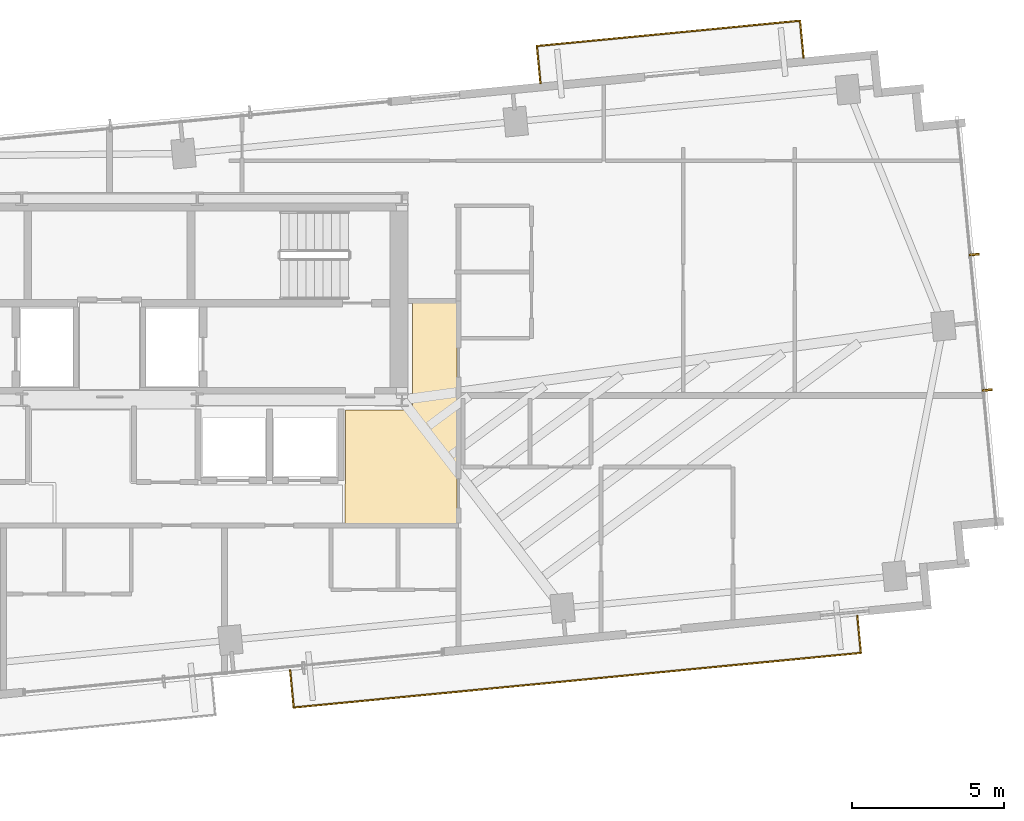
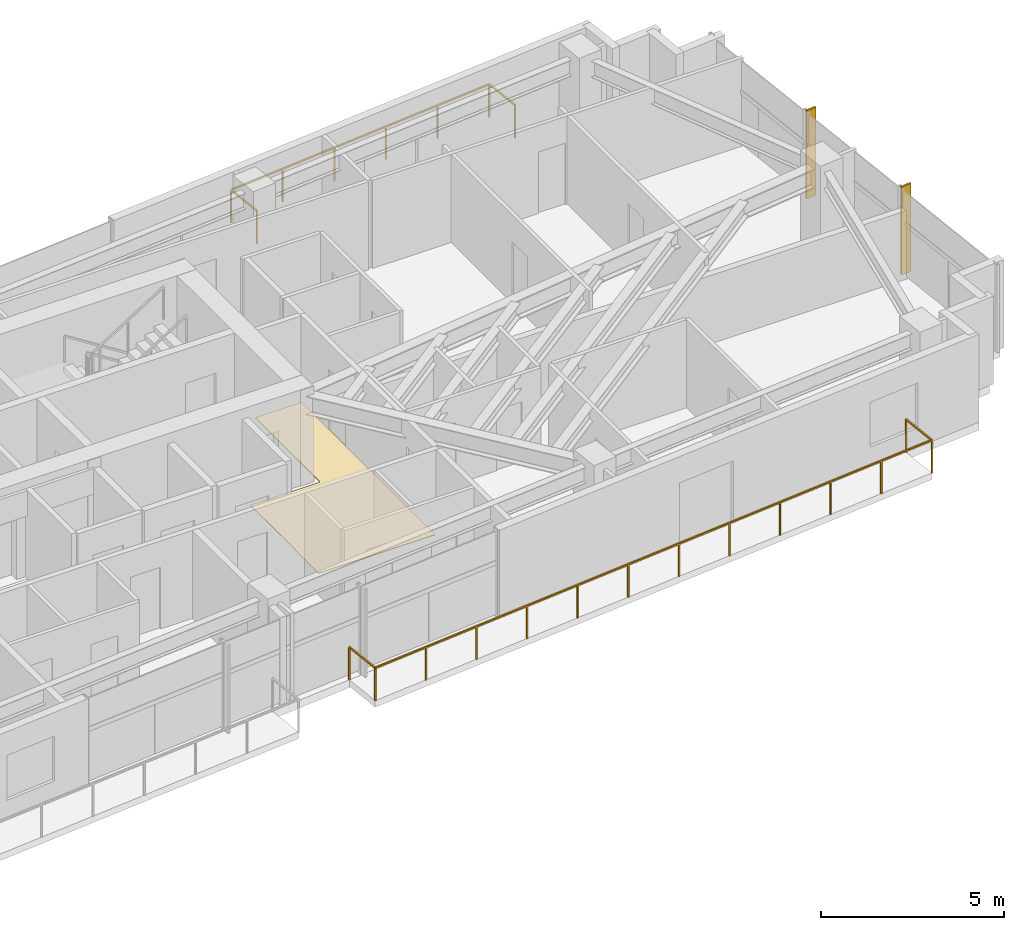
# One storey, part 18 of 18: 2 railings, 2 shading devices, 1 covering.
"""IFC4 building model written with IfcOpenShell, lengths in metres."""

import ifcopenshell
import ifcopenshell.guid

model = None  # the IFC model being written
_history = None  # IfcOwnerHistory: only IFC2X3 demands one
_inside = {}  # id of a spatial element -> (the spatial element, [elements in it])
_under = {}  # id of a project, library or spatial element -> (it, [spatial elements below it])
_declared = {}  # id of a project -> (the project, [libraries it declares])
_typed = {}  # id of a type object -> (the type object, [elements of that type])
_made_of = {}  # id of a material, layer set ... -> (it, [elements and type objects made of it])


def new_model(schema):
    """Start an empty IFC model of exactly this schema.

    Asked for "IFC4X3", IfcOpenShell would pick the latest addendum, in which some entities
    have other attributes; the version numbers below select the first issue.
    IFC2X3 requires an IfcOwnerHistory on every rooted entity: one is made here for all.
    """
    global model, _history
    if schema == "IFC4X3":
        model = ifcopenshell.file(schema_version=(4, 3, 0, 0))
    else:
        model = ifcopenshell.file(schema=schema)
    _inside.clear()
    _under.clear()
    _declared.clear()
    _typed.clear()
    _made_of.clear()
    _history = None
    if model.schema == "IFC2X3":
        org = make("IfcOrganization", Name="unknown")
        user = make(
            "IfcPersonAndOrganization",
            ThePerson=make("IfcPerson", FamilyName="unknown"),
            TheOrganization=org,
        )
        app = make(
            "IfcApplication",
            ApplicationDeveloper=org,
            Version="unknown",
            ApplicationFullName="unknown",
            ApplicationIdentifier="unknown",
        )
        _history = make(
            "IfcOwnerHistory",
            OwningUser=user,
            OwningApplication=app,
            ChangeAction="ADDED",
            CreationDate=0,
        )
    return model


def make(cls, **values):
    """One entity of the class cls with the attributes given. An attribute that is None is left unset."""
    return model.create_entity(
        cls, **{name: value for name, value in values.items() if value is not None}
    )


def rooted(cls, **values):
    """An entity with a GlobalId (a new one), such as an element, a storey or a relation."""
    return make(cls, GlobalId=ifcopenshell.guid.new(), OwnerHistory=_history, **values)


def si_unit(unit_type, name, prefix=None):
    """IfcSIUnit, for example si_unit("LENGTHUNIT", "METRE", prefix="MILLI")."""
    return make("IfcSIUnit", UnitType=unit_type, Prefix=prefix, Name=name)


def assignment(units):
    """IfcUnitAssignment: the units of a project."""
    return None if units is None else make("IfcUnitAssignment", Units=units)


def point(xyz):
    """IfcCartesianPoint."""
    return None if xyz is None else make("IfcCartesianPoint", Coordinates=xyz)


def direction(xyz):
    """IfcDirection."""
    return None if xyz is None else make("IfcDirection", DirectionRatios=xyz)


def frame(location, z_axis=None, x_axis=None):
    """IfcAxis2Placement3D, a coordinate frame: its origin and axes. An axis left out is left unset."""
    return make(
        "IfcAxis2Placement3D",
        Location=point(location),
        Axis=direction(z_axis),
        RefDirection=direction(x_axis),
    )


def frame_2d(location, x_axis=None):
    """IfcAxis2Placement2D, a coordinate frame in the plane: its origin and x axis."""
    return make(
        "IfcAxis2Placement2D", Location=point(location), RefDirection=direction(x_axis)
    )


def origin():
    """The frame at (0, 0, 0) with its axes left unset."""
    return frame((0.0, 0.0, 0.0))


def origin_2d():
    """The frame at (0, 0) in the plane with its x axis left unset."""
    return frame_2d((0.0, 0.0))


def place(relative_to, where):
    """IfcLocalPlacement: puts the frame where relative to a parent placement (None: the world)."""
    return make(
        "IfcLocalPlacement", PlacementRelTo=relative_to, RelativePlacement=where
    )


def context(
    kind, dimensions, precision=None, world=None, true_north=None, identifier=None
):
    """IfcGeometricRepresentationContext, for example the 3D "Model" context."""
    return make(
        "IfcGeometricRepresentationContext",
        ContextIdentifier=identifier,
        ContextType=kind,
        CoordinateSpaceDimension=dimensions,
        Precision=precision,
        WorldCoordinateSystem=world,
        TrueNorth=true_north,
    )


def subcontext(parent, identifier, kind, view, scale=None):
    """IfcGeometricRepresentationSubContext, for example "Body" below "Model"."""
    return make(
        "IfcGeometricRepresentationSubContext",
        ContextIdentifier=identifier,
        ContextType=kind,
        ParentContext=parent,
        TargetScale=scale,
        TargetView=view,
    )


def project(units=None, contexts=None):
    """IfcProject with its units and contexts."""
    return rooted(
        "IfcProject",
        Name="project",
        RepresentationContexts=contexts,
        UnitsInContext=assignment(units),
    )


def spatial(cls, under=None, at=None, **own):
    """A site, building, storey or space (cls), placed at a placement, below another one or the project."""
    s = rooted(cls, ObjectPlacement=at, **own)
    if under is not None:
        _under.setdefault(under.id(), (under, []))[1].append(s)
    return s


def polyline(points):
    """IfcPolyline through the points."""
    return make("IfcPolyline", Points=[point(p) for p in points])


def profile(cls, at=None, kind="AREA", **sizes):
    """A parametric profile (cls). Its sizes go by their IFC names, for example OverallWidth=200.0."""
    return make(cls, ProfileType=kind, Position=at, **sizes)


def rectangle(**sizes):
    """IfcRectangleProfileDef."""
    return profile("IfcRectangleProfileDef", **sizes)


def outline(outer, holes=None, kind="AREA"):
    """IfcArbitraryClosedProfileDef: a profile drawn as a closed curve; with holes, ...WithVoids."""
    if holes is None:
        return make("IfcArbitraryClosedProfileDef", ProfileType=kind, OuterCurve=outer)
    return make(
        "IfcArbitraryProfileDefWithVoids",
        ProfileType=kind,
        OuterCurve=outer,
        InnerCurves=holes,
    )


def extrude(swept, where, along, depth):
    """IfcExtrudedAreaSolid: the profile swept, set in the frame where, extruded along a direction by depth."""
    return make(
        "IfcExtrudedAreaSolid",
        SweptArea=swept,
        Position=where,
        ExtrudedDirection=direction(along),
        Depth=depth,
    )


def shape(context_of_items, identifier, shape_type, items):
    """IfcShapeRepresentation: the items that make up one representation, for example the "Body"."""
    return make(
        "IfcShapeRepresentation",
        ContextOfItems=context_of_items,
        RepresentationIdentifier=identifier,
        RepresentationType=shape_type,
        Items=items,
    )


def source(mapping_origin, context_of_items, identifier, shape_type, items):
    """IfcRepresentationMap: a shape defined once, which mapped items show again and again."""
    return make(
        "IfcRepresentationMap",
        MappingOrigin=mapping_origin,
        MappedRepresentation=shape(context_of_items, identifier, shape_type, items),
    )


def transform(
    local_origin,
    x_axis=None,
    y_axis=None,
    z_axis=None,
    scale=None,
    scale2=None,
    scale3=None,
    uniform=True,
):
    """IfcCartesianTransformationOperator3D, or its non-uniform kind. x_axis, y_axis, z_axis: its Axis1, 2, 3."""
    if uniform:
        return make(
            "IfcCartesianTransformationOperator3D",
            Axis1=direction(x_axis),
            Axis2=direction(y_axis),
            LocalOrigin=point(local_origin),
            Scale=scale,
            Axis3=direction(z_axis),
        )
    return make(
        "IfcCartesianTransformationOperator3DnonUniform",
        Axis1=direction(x_axis),
        Axis2=direction(y_axis),
        LocalOrigin=point(local_origin),
        Scale=scale,
        Axis3=direction(z_axis),
        Scale2=scale2,
        Scale3=scale3,
    )


def mapped(mapping_source, mapping_target):
    """IfcMappedItem: shows the shape of a source again, moved by a transform."""
    return make(
        "IfcMappedItem", MappingSource=mapping_source, MappingTarget=mapping_target
    )


def material(Name=None, Category=None):
    """IfcMaterial."""
    return make("IfcMaterial", Name=Name, Category=Category)


def layer(
    of_material, thickness, ventilated=None, Name=None, Category=None, Priority=None
):
    """IfcMaterialLayer: one layer of a wall or slab, of a material (None: an air gap)."""
    return make(
        "IfcMaterialLayer",
        Material=of_material,
        LayerThickness=thickness,
        IsVentilated=ventilated,
        Name=Name,
        Category=Category,
        Priority=Priority,
    )


def layer_set(layers, Name=None):
    """IfcMaterialLayerSet."""
    return make("IfcMaterialLayerSet", MaterialLayers=layers, LayerSetName=Name)


def made_of(thing, what):
    """Note that an element or type object is made of a material, layer set ...; save() writes the relation."""
    if what is not None:
        _made_of.setdefault(what.id(), (what, []))[1].append(thing)
    return thing


def type_object(cls, material=None, **own):
    """A type object (cls), such as IfcWallType, which elements share."""
    return made_of(rooted(cls, **own), material)


def type_shapes(of_type, sources):
    """Give a type object the sources (RepresentationMaps) that its elements show as mapped items."""
    of_type.RepresentationMaps = sources


def element(
    cls,
    number,
    at=None,
    inside=None,
    cuts=None,
    type_object=None,
    material=None,
    context=None,
    identifier="Body",
    shape_type=None,
    held_by="IfcProductDefinitionShape",
    body=None,
    shapes=None,
    **own,
):
    """One element of the class cls, such as IfcWall. Its Tag is "e" and its number.

    at: its placement. inside: the storey or other place that contains it. cuts: it is an
    opening in that element (IfcRelVoidsElement). A single representation is given by context,
    identifier, shape_type and body (its items); several are given by shapes. held_by: the class
    of the entity that holds the representations. save() writes the other relations.
    """
    e = rooted(cls, Tag="e%d" % number, ObjectPlacement=at, **own)
    if body is not None:
        shapes = [shape(context, identifier, shape_type, body)]
    if shapes is not None:
        e.Representation = make(held_by, Representations=shapes)
    if inside is not None:
        _inside.setdefault(inside.id(), (inside, []))[1].append(e)
    if cuts is not None:
        rooted(
            "IfcRelVoidsElement", RelatingBuildingElement=cuts, RelatedOpeningElement=e
        )
    if type_object is not None:
        _typed.setdefault(type_object.id(), (type_object, []))[1].append(e)
    return made_of(e, material)


def aggregate(whole, parts):
    """IfcRelAggregates: a whole, such as a stair, and the parts it consists of."""
    return rooted("IfcRelAggregates", RelatingObject=whole, RelatedObjects=parts)


def save(model, path):
    """Write the relations noted so far, then the file.

    IfcRelAggregates (storeys below a building ...), IfcRelContainedInSpatialStructure (elements
    in a storey), IfcRelDefinesByType, IfcRelAssociatesMaterial and IfcRelDeclares: one each for
    every whole, place, type object, material and project.
    """
    for whole, parts in _under.values():
        aggregate(whole, parts)
    for where, things in _inside.values():
        rooted(
            "IfcRelContainedInSpatialStructure",
            RelatedElements=things,
            RelatingStructure=where,
        )
    for kind, things in _typed.values():
        rooted("IfcRelDefinesByType", RelatedObjects=things, RelatingType=kind)
    for what, things in _made_of.values():
        rooted("IfcRelAssociatesMaterial", RelatedObjects=things, RelatingMaterial=what)
    for by, libraries in _declared.values():
        rooted("IfcRelDeclares", RelatingContext=by, RelatedDefinitions=libraries)
    model.write(path)


model = new_model("IFC4")

# Units and contexts
model_context = context("Model", 3, precision=1e-05, world=origin(), true_north=direction((0.0, 1.0)))
body_context = subcontext(model_context, "Body", "Model", "MODEL_VIEW")
ifc_project = project(units=[si_unit("LENGTHUNIT", "METRE"), si_unit("AREAUNIT", "SQUARE_METRE"), si_unit("VOLUMEUNIT", "CUBIC_METRE"), si_unit("PLANEANGLEUNIT", "RADIAN"), si_unit("MASSUNIT", "GRAM", prefix="KILO")], contexts=[model_context])

# Site, building, storey
site_placement = place(None, origin())
site = spatial("IfcSite", under=ifc_project, at=site_placement, CompositionType="ELEMENT")
building_placement = place(site_placement, origin())
building = spatial("IfcBuilding", under=site, at=building_placement, Name="Astriad Promenade Condominiums", CompositionType="ELEMENT")
storey_placement = place(building_placement, frame((0.0, 0.0, 189.0)))
storey = spatial("IfcBuildingStorey", under=building, at=storey_placement, Name="L54", CompositionType="ELEMENT", Elevation=189.0)

# Covering
ifc_material_1 = material(Name="Polished Lakefront Terrazzo Flooring")
ifc_layer = layer(ifc_material_1, 0.02001953125)
ifc_layer_set = layer_set([ifc_layer], Name="Polished Lakefront Terrazzo Flooring")
covering_type = type_object("IfcCoveringType", Name="COV-FLOR-TERRAZZO-20", PredefinedType="FLOORING", material=ifc_layer_set)
covering_placement = place(storey_placement, origin())
element("IfcCovering", 1, at=covering_placement, inside=storey, type_object=covering_type, Name="FLR-L54-COR-2", PredefinedType="FLOORING", context=body_context, shape_type="SweptSolid", body=[
    extrude(outline(polyline([(43.72998046875, 14.62353515625), (43.73095703125, 14.62451171875), (43.7333984375, 14.627685546875), (43.7353515625, 14.631103515625), (43.737060546875, 14.634765625), (43.73828125, 14.638427734375), (43.7392578125, 14.64208984375), (43.73974609375, 14.64599609375), (43.739990234375, 14.64990234375), (43.739990234375, 17.06005859375), (45.89990234375, 17.06005859375), (45.90380859375, 17.060302734375), (45.90771484375, 17.060791015625), (45.91162109375, 17.061767578125), (45.915283203125, 17.06298828125), (45.9189453125, 17.064697265625), (45.922119140625, 17.066650390625), (45.92529296875, 17.069091796875), (45.92822265625, 17.07177734375), (45.930908203125, 17.07470703125), (45.933349609375, 17.077880859375), (45.935302734375, 17.0810546875), (45.93701171875, 17.084716796875), (45.938232421875, 17.08837890625), (45.939208984375, 17.09228515625), (45.939697265625, 17.09619140625), (45.93994140625, 17.10009765625), (45.93994140625, 20.610107421875), (47.409912109375, 20.610107421875), (47.409912109375, 13.320068359375), (43.72998046875, 13.320068359375), (43.72998046875, 14.62353515625)])), origin(), (0.0, 0.0, 1.0), 0.02001953125),
])

# Shading devices
ifc_material_2 = material(Name="Anodised aluminium 6063-T6 Black Fin", Category="aluminium")
shading_device_type = type_object("IfcShadingDeviceType", Name="FIN-BLACK-260", PredefinedType="USERDEFINED", material=ifc_material_2)
shared_shape_1 = source(origin(), body_context, "Body", "SweptSolid", [
    extrude(rectangle(XDim=0.06494140625, YDim=0.320068359375, at=origin_2d()), origin(), (0.0, 0.0, 1.0), 2.93994140625),
])
type_shapes(shading_device_type, [shared_shape_1])
for number, where, z_axis, x_axis, name in (
    (2, (64.37841796875, 22.16796875, 0.0), (0.0, 0.0, 1.0), (0.09584575252, -0.995396198367, 0.0), "CW-L54-E-FIN-01"),
    (3, (64.806640625, 17.721923828125, 0.0), (0.0, 0.0, 1.0), (0.09584575252, -0.995396198367, 0.0), "CW-L54-E-FIN-02"),
):
    element("IfcShadingDevice", number, at=place(storey_placement, frame(where, z_axis=z_axis, x_axis=x_axis)), inside=storey, type_object=shading_device_type, Name=name, ObjectType="FIN", PredefinedType="USERDEFINED", context=body_context, shape_type="MappedRepresentation", body=[
        mapped(shared_shape_1, transform((0.0, 0.0, 0.0), scale=1.0)),
    ])

# Railings
ifc_material_3 = material(Name="Laminated Glass and Stainless Steel Balustrade", Category="steel")
railing_type = type_object("IfcRailingType", Name="GRD-BALC-1120", PredefinedType="BALUSTRADE", material=ifc_material_3)
shared_shape_2 = source(origin(), body_context, "Body", "SweptSolid", [
    extrude(rectangle(XDim=0.048095703125, YDim=0.048095703125, at=origin_2d()), frame((0.0, 0.0, 1.09619140625), z_axis=(0.095857307208, -0.99539508571, 0.0), x_axis=(0.99539508571, 0.095857307208, 0.0)), (0.0, 0.0, 1.0), 1.219970703125),
    extrude(rectangle(XDim=0.048095703125, YDim=0.048095703125, at=origin_2d()), frame((0.116943359375, -1.21435546875, 1.09619140625), z_axis=(0.995396340564, 0.095844275741, 0.0), x_axis=(-0.095844275741, 0.995396340564, 0.0)), (0.0, 0.0, 1.0), 18.697021484375),
    extrude(rectangle(XDim=0.048095703125, YDim=0.048095703125, at=origin_2d()), frame((18.727783203125, 0.57763671875, 1.09619140625), z_axis=(-0.095659020692, 0.99541416092, 0.0), x_axis=(-0.99541416092, -0.095659020692, 0.0)), (0.0, 0.0, 1.0), 1.219970703125),
    extrude(rectangle(XDim=0.0419921875, YDim=0.0419921875, at=origin_2d()), origin(), (0.0, 0.0, 1.0), 1.072021484375),
    extrude(rectangle(XDim=0.0419921875, YDim=0.0419921875, at=origin_2d()), frame((0.116943359375, -1.21435546875, 0.0)), (0.0, 0.0, 1.0), 1.072021484375),
    extrude(rectangle(XDim=0.0419921875, YDim=0.0419921875, at=origin_2d()), frame((1.808837890625, -1.051513671875, 0.0)), (0.0, 0.0, 1.0), 1.072021484375),
    extrude(rectangle(XDim=0.0419921875, YDim=0.0419921875, at=origin_2d()), frame((3.500732421875, -0.888427734375, 0.0)), (0.0, 0.0, 1.0), 1.072021484375),
    extrude(rectangle(XDim=0.0419921875, YDim=0.0419921875, at=origin_2d()), frame((5.192626953125, -0.7255859375, 0.0)), (0.0, 0.0, 1.0), 1.072021484375),
    extrude(rectangle(XDim=0.0419921875, YDim=0.0419921875, at=origin_2d()), frame((6.884521484375, -0.562744140625, 0.0)), (0.0, 0.0, 1.0), 1.072021484375),
    extrude(rectangle(XDim=0.0419921875, YDim=0.0419921875, at=origin_2d()), frame((8.576416015625, -0.39990234375, 0.0)), (0.0, 0.0, 1.0), 1.072021484375),
    extrude(rectangle(XDim=0.0419921875, YDim=0.0419921875, at=origin_2d()), frame((10.268310546875, -0.23681640625, 0.0)), (0.0, 0.0, 1.0), 1.072021484375),
    extrude(rectangle(XDim=0.0419921875, YDim=0.0419921875, at=origin_2d()), frame((11.960205078125, -0.073974609375, 0.0)), (0.0, 0.0, 1.0), 1.072021484375),
    extrude(rectangle(XDim=0.0419921875, YDim=0.0419921875, at=origin_2d()), frame((13.652099609375, 0.0888671875, 0.0)), (0.0, 0.0, 1.0), 1.072021484375),
    extrude(rectangle(XDim=0.0419921875, YDim=0.0419921875, at=origin_2d()), frame((15.343994140625, 0.251708984375, 0.0)), (0.0, 0.0, 1.0), 1.072021484375),
    extrude(rectangle(XDim=0.0419921875, YDim=0.0419921875, at=origin_2d()), frame((17.035888671875, 0.414794921875, 0.0)), (0.0, 0.0, 1.0), 1.072021484375),
    extrude(rectangle(XDim=0.0419921875, YDim=0.0419921875, at=origin_2d()), frame((18.727783203125, 0.57763671875, 0.0)), (0.0, 0.0, 1.0), 1.072021484375),
    extrude(rectangle(XDim=0.0419921875, YDim=0.0419921875, at=origin_2d()), frame((18.611083984375, 1.7919921875, 0.0)), (0.0, 0.0, 1.0), 1.072021484375),
])
railing_1_placement = place(storey_placement, frame((41.92919921875, 8.520263671875, 0.0)))
element("IfcRailing", 4, at=railing_1_placement, inside=storey, type_object=railing_type, Name="GRD-BALC-L54-SE", PredefinedType="BALUSTRADE", context=body_context, shape_type="MappedRepresentation", body=[
    mapped(shared_shape_2, transform((0.0, 0.0, 0.0), scale=1.0)),
])
shared_shape_3 = source(origin(), body_context, "Body", "SweptSolid", [
    extrude(rectangle(XDim=0.048095703125, YDim=0.048095703125, at=origin_2d()), frame((0.0, 0.0, 1.09619140625), z_axis=(-0.095876405589, 0.995393246336, 0.0), x_axis=(-0.995393246336, -0.095876405589, 0.0)), (0.0, 0.0, 1.0), 1.2197265625),
    extrude(rectangle(XDim=0.048095703125, YDim=0.048095703125, at=origin_2d()), frame((-0.116943359375, 1.214111328125, 1.09619140625), z_axis=(-0.995398553427, -0.095821291136, 0.0), x_axis=(0.095821291136, -0.995398553427, 0.0)), (0.0, 0.0, 1.0), 8.6728515625),
    extrude(rectangle(XDim=0.048095703125, YDim=0.048095703125, at=origin_2d()), frame((-8.75, 0.383056640625, 1.09619140625), z_axis=(0.095857307208, -0.99539508571, 0.0), x_axis=(0.99539508571, 0.095857307208, 0.0)), (0.0, 0.0, 1.0), 1.219970703125),
    extrude(rectangle(XDim=0.0419921875, YDim=0.0419921875, at=origin_2d()), origin(), (0.0, 0.0, 1.0), 1.072021484375),
    extrude(rectangle(XDim=0.0419921875, YDim=0.0419921875, at=origin_2d()), frame((-0.116943359375, 1.214111328125, 0.0)), (0.0, 0.0, 1.0), 1.072021484375),
    extrude(rectangle(XDim=0.0419921875, YDim=0.0419921875, at=origin_2d()), frame((-1.843505859375, 1.0478515625, 0.0)), (0.0, 0.0, 1.0), 1.072021484375),
    extrude(rectangle(XDim=0.0419921875, YDim=0.0419921875, at=origin_2d()), frame((-3.570068359375, 0.881591796875, 0.0)), (0.0, 0.0, 1.0), 1.072021484375),
    extrude(rectangle(XDim=0.0419921875, YDim=0.0419921875, at=origin_2d()), frame((-5.296875, 0.715576171875, 0.0)), (0.0, 0.0, 1.0), 1.072021484375),
    extrude(rectangle(XDim=0.0419921875, YDim=0.0419921875, at=origin_2d()), frame((-7.0234375, 0.54931640625, 0.0)), (0.0, 0.0, 1.0), 1.072021484375),
    extrude(rectangle(XDim=0.0419921875, YDim=0.0419921875, at=origin_2d()), frame((-8.75, 0.383056640625, 0.0)), (0.0, 0.0, 1.0), 1.072021484375),
    extrude(rectangle(XDim=0.0419921875, YDim=0.0419921875, at=origin_2d()), frame((-8.633056640625, -0.831298828125, 0.0)), (0.0, 0.0, 1.0), 1.072021484375),
])
type_shapes(railing_type, [shared_shape_2, shared_shape_3])
railing_2_placement = place(storey_placement, frame((58.776611328125, 28.627685546875, 0.0)))
element("IfcRailing", 5, at=railing_2_placement, inside=storey, type_object=railing_type, Name="GRD-BALC-L54-NE", PredefinedType="BALUSTRADE", context=body_context, shape_type="MappedRepresentation", body=[
    mapped(shared_shape_3, transform((0.0, 0.0, 0.0), scale=1.0)),
])

save(model, "model.ifc")
